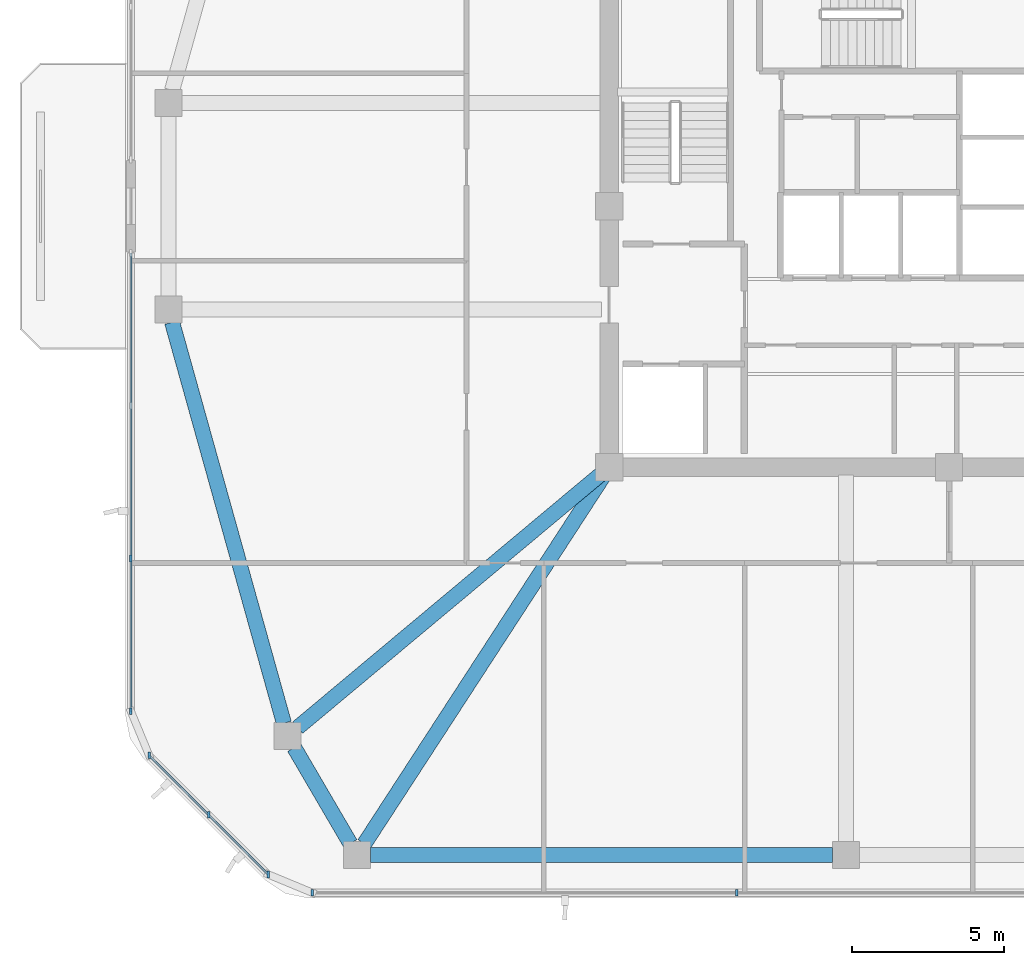
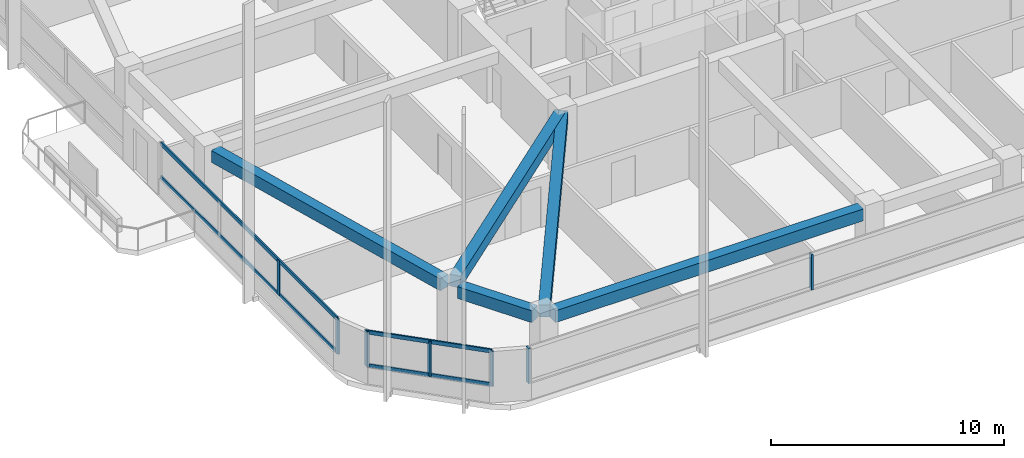
# One storey, part 2 of 17: 11 members, 5 beams, 3 elements without a shape of their own.
"""IFC4 building model written with IfcOpenShell, lengths in metres."""

from ifc_helpers import new_model, si_unit, derived_unit, direction, frame, origin, origin_2d, place, context, subcontext, project, spatial, rectangle, extrude, material, material_profile, profile_set, type_object, element, aggregate, save


model = new_model("IFC4")

# Units and contexts
model_context = context("Model", 3, precision=1e-05, world=origin(), true_north=direction((0.0, 1.0)))
body_context = subcontext(model_context, "Body", "Model", "MODEL_VIEW")
ifc_project = project(units=[si_unit("LENGTHUNIT", "METRE"), si_unit("AREAUNIT", "SQUARE_METRE"), si_unit("VOLUMEUNIT", "CUBIC_METRE"), si_unit("PLANEANGLEUNIT", "RADIAN"), si_unit("MASSUNIT", "GRAM", prefix="KILO"), derived_unit("THERMALTRANSMITTANCEUNIT", [(si_unit("POWERUNIT", "WATT"), 1), (si_unit("LENGTHUNIT", "METRE"), -2), (si_unit("THERMODYNAMICTEMPERATUREUNIT", "KELVIN"), -1)])], contexts=[model_context])

# Site, building, storey
site_placement = place(None, origin())
site = spatial("IfcSite", under=ifc_project, at=site_placement, CompositionType="ELEMENT")
building_placement = place(site_placement, origin())
building = spatial("IfcBuilding", under=site, at=building_placement, Name="Koralith Skygarden Medical Center", CompositionType="ELEMENT")
storey_placement = place(building_placement, frame((0.0, 0.0, 221.580078125)))
storey = spatial("IfcBuildingStorey", under=building, at=storey_placement, Name="L57", CompositionType="ELEMENT", Elevation=221.580078125)

# Curtain wall, members
ifc_material_1 = material(Name="Clear Laminated Glass", Category="glass")
curtain_wall_type = type_object("IfcCurtainWallType", Name="CW-5 Zone 4 Flare Biophilic Curtain Wall", PredefinedType="NOTDEFINED", material=ifc_material_1)
curtain_wall_1_placement = place(storey_placement, origin())
curtain_wall_1 = element("IfcCurtainWall", 1, at=curtain_wall_1_placement, inside=storey, type_object=curtain_wall_type, Name="Curtain Wall CW-L57-S", PredefinedType="NOTDEFINED")
ifc_material_2 = material(Name="Aluminium 6063-T6", Category="aluminium")
ifc_material_profile_1 = material_profile(ifc_material_2, rectangle(XDim=0.080078125, YDim=0.219970703125, at=origin_2d()), Name="MUL80X220")
ifc_profile_set_1 = profile_set([ifc_material_profile_1], Name="Aluminium 6063-T6")
member_type_1 = type_object("IfcMemberType", Name="CW-5 Extruded Mullion 80x220", PredefinedType="MULLION", material=ifc_profile_set_1)
member_1_placement = place(storey_placement, frame((16.012939453125, 3.280029296875, 0.849853515625), z_axis=(0.0, 0.0, 1.0), x_axis=(1.0, 0.0, 0.0)))
member_1 = element("IfcMember", 2, at=member_1_placement, type_object=member_type_1, Name="CW-L57-S Mullion 1", PredefinedType="MULLION", context=body_context, shape_type="SweptSolid", body=[
    extrude(rectangle(XDim=0.080078125, YDim=0.219970703125, at=origin_2d()), origin(), (0.0, 0.0, 1.0), 1.840087890625),
])
member_2_placement = place(storey_placement, frame((30.00390625, 3.280029296875, 0.849853515625), z_axis=(0.0, 0.0, 1.0), x_axis=(1.0, 0.0, 0.0)))
member_2 = element("IfcMember", 3, at=member_2_placement, type_object=member_type_1, Name="CW-L57-S Mullion 2", PredefinedType="MULLION", context=body_context, shape_type="SweptSolid", body=[
    extrude(rectangle(XDim=0.080078125, YDim=0.219970703125, at=origin_2d()), origin(), (0.0, 0.0, 1.0), 1.840087890625),
])
aggregate(curtain_wall_1, [member_1, member_2])

curtain_wall_2_placement = place(storey_placement, origin())
curtain_wall_2 = element("IfcCurtainWall", 4, at=curtain_wall_2_placement, inside=storey, type_object=curtain_wall_type, Name="Curtain Wall CW-L57-W-R", PredefinedType="NOTDEFINED")
member_3_placement = place(storey_placement, frame((10.0380859375, 14.2900390625, 0.849853515625), z_axis=(0.0, 0.0, 1.0), x_axis=(1.0, 0.0, 0.0)))
member_3 = element("IfcMember", 5, at=member_3_placement, type_object=member_type_1, Name="CW-L57-W-R Mullion 3", PredefinedType="MULLION", context=body_context, shape_type="SweptSolid", body=[
    extrude(rectangle(XDim=0.080078125, YDim=0.219970703125, at=origin_2d()), origin(), (0.0, 0.0, 1.0), 1.840087890625),
])
member_4_placement = place(storey_placement, frame((10.0380859375, 9.2548828125, 0.849853515625), z_axis=(0.0, 0.0, 1.0), x_axis=(1.0, 0.0, 0.0)))
member_4 = element("IfcMember", 6, at=member_4_placement, type_object=member_type_1, Name="CW-L57-W-R Mullion 4", PredefinedType="MULLION", context=body_context, shape_type="SweptSolid", body=[
    extrude(rectangle(XDim=0.080078125, YDim=0.219970703125, at=origin_2d()), origin(), (0.0, 0.0, 1.0), 1.840087890625),
])

curtain_wall_3_placement = place(storey_placement, origin())
curtain_wall_3 = element("IfcCurtainWall", 7, at=curtain_wall_3_placement, inside=storey, type_object=curtain_wall_type, Name="Curtain Wall CW-L57-SW", PredefinedType="NOTDEFINED")
member_5_placement = place(storey_placement, frame((10.638916015625, 7.803955078125, 0.849853515625), z_axis=(0.0, 0.0, 1.0), x_axis=(1.0, 0.0, 0.0)))
member_5 = element("IfcMember", 8, at=member_5_placement, type_object=member_type_1, Name="CW-L57-SW Mullion 1", PredefinedType="MULLION", context=body_context, shape_type="SweptSolid", body=[
    extrude(rectangle(XDim=0.080078125, YDim=0.219970703125, at=origin_2d()), origin(), (0.0, 0.0, 1.0), 1.840087890625),
])
member_6_placement = place(storey_placement, frame((12.60107421875, 5.843017578125, 0.849853515625), z_axis=(0.0, 0.0, 1.0), x_axis=(1.0, 0.0, 0.0)))
member_6 = element("IfcMember", 9, at=member_6_placement, type_object=member_type_1, Name="CW-L57-SW Mullion 2", PredefinedType="MULLION", context=body_context, shape_type="SweptSolid", body=[
    extrude(rectangle(XDim=0.080078125, YDim=0.219970703125, at=origin_2d()), origin(), (0.0, 0.0, 1.0), 1.840087890625),
])
member_7_placement = place(storey_placement, frame((14.56201171875, 3.881103515625, 0.849853515625), z_axis=(0.0, 0.0, 1.0), x_axis=(1.0, 0.0, 0.0)))
member_7 = element("IfcMember", 10, at=member_7_placement, type_object=member_type_1, Name="CW-L57-SW Mullion 3", PredefinedType="MULLION", context=body_context, shape_type="SweptSolid", body=[
    extrude(rectangle(XDim=0.080078125, YDim=0.219970703125, at=origin_2d()), origin(), (0.0, 0.0, 1.0), 1.840087890625),
])

# Member
ifc_material_profile_2 = material_profile(ifc_material_2, rectangle(XDim=0.074951171875, YDim=0.197998046875, at=origin_2d()), Name="TRN75X198")
ifc_profile_set_2 = profile_set([ifc_material_profile_2], Name="Aluminium 6063-T6")
member_type_2 = type_object("IfcMemberType", Name="CW-5 Thermal Transom 75x198", PredefinedType="USERDEFINED", material=ifc_profile_set_2)
member_8_placement = place(storey_placement, frame((10.0380859375, 24.360107421875, 0.89990234375), z_axis=(0.0, -1.0, 0.0), x_axis=(1.0, 0.0, 0.0)))
member_8 = element("IfcMember", 11, at=member_8_placement, type_object=member_type_2, Name="CW-L57-W-R Transom 1", ObjectType="TRANSOM", PredefinedType="USERDEFINED", context=body_context, shape_type="SweptSolid", body=[
    extrude(rectangle(XDim=0.074951171875, YDim=0.197998046875, at=origin_2d()), origin(), (0.0, 0.0, 1.0), 15.105224609375),
])

member_9_placement = place(storey_placement, frame((10.0380859375, 24.360107421875, 2.639892578125), z_axis=(0.0, -1.0, 0.0), x_axis=(1.0, 0.0, 0.0)))
member_9 = element("IfcMember", 12, at=member_9_placement, type_object=member_type_2, Name="CW-L57-W-R Transom 2", ObjectType="TRANSOM", PredefinedType="USERDEFINED", context=body_context, shape_type="SweptSolid", body=[
    extrude(rectangle(XDim=0.074951171875, YDim=0.197998046875, at=origin_2d()), origin(), (0.0, 0.0, 1.0), 15.105224609375),
])

aggregate(curtain_wall_2, [member_3, member_4, member_8, member_9])

member_10_placement = place(storey_placement, frame((10.638916015625, 7.803955078125, 0.89990234375), z_axis=(0.707128783731, -0.707084777957, 0.0), x_axis=(0.707084777957, 0.707128783731, 0.0)))
member_10 = element("IfcMember", 13, at=member_10_placement, type_object=member_type_2, Name="CW-L57-SW Transom 1", ObjectType="TRANSOM", PredefinedType="USERDEFINED", context=body_context, shape_type="SweptSolid", body=[
    extrude(rectangle(XDim=0.074951171875, YDim=0.197998046875, at=origin_2d()), origin(), (0.0, 0.0, 1.0), 5.5478515625),
])

member_11_placement = place(storey_placement, frame((10.638916015625, 7.803955078125, 2.639892578125), z_axis=(0.707128783731, -0.707084777957, 0.0), x_axis=(0.707084777957, 0.707128783731, 0.0)))
member_11 = element("IfcMember", 14, at=member_11_placement, type_object=member_type_2, Name="CW-L57-SW Transom 2", ObjectType="TRANSOM", PredefinedType="USERDEFINED", context=body_context, shape_type="SweptSolid", body=[
    extrude(rectangle(XDim=0.074951171875, YDim=0.197998046875, at=origin_2d()), origin(), (0.0, 0.0, 1.0), 5.5478515625),
])

aggregate(curtain_wall_3, [member_5, member_6, member_7, member_10, member_11])

# Beams
ifc_material_3 = material(Name="Concrete C45/55", Category="concrete")
ifc_material_profile_3 = material_profile(ifc_material_3, rectangle(XDim=0.5, YDim=0.6201171875, at=origin_2d()), Name="RCB500X620")
ifc_profile_set_3 = profile_set([ifc_material_profile_3], Name="Concrete C45/55")
beam_type_1 = type_object("IfcBeamType", Name="Upper Radial Collector Beam RCB500X620", PredefinedType="BEAM", material=ifc_profile_set_3)
beam_1_placement = place(storey_placement, frame((25.60791015625, 17.139892578125, 3.010009765625), z_axis=(-0.767298159165, -0.64129052304, 0.0), x_axis=(0.64129052304, -0.767298159165, 0.0)))
element("IfcBeam", 15, at=beam_1_placement, inside=storey, type_object=beam_type_1, Name="L57 Radial Collector Beam RB-02", PredefinedType="BEAM", context=body_context, shape_type="SweptSolid", body=[
    extrude(rectangle(XDim=0.5, YDim=0.6201171875, at=origin_2d()), origin(), (0.0, 0.0, 1.0), 13.126708984375),
])
beam_2_placement = place(storey_placement, frame((25.6640625, 17.090087890625, 3.010009765625), z_axis=(-0.5451487187, -0.838339355214, 0.0), x_axis=(0.838339355214, -0.5451487187, 0.0)))
element("IfcBeam", 16, at=beam_2_placement, inside=storey, type_object=beam_type_1, Name="L57 Radial Collector Beam RB-03", PredefinedType="BEAM", context=body_context, shape_type="SweptSolid", body=[
    extrude(rectangle(XDim=0.5, YDim=0.6201171875, at=origin_2d()), origin(), (0.0, 0.0, 1.0), 14.553955078125),
])
ifc_material_profile_4 = material_profile(ifc_material_3, rectangle(XDim=0.5, YDim=0.6201171875, at=origin_2d()), Name="RCB500X620")
ifc_profile_set_4 = profile_set([ifc_material_profile_4], Name="Concrete C45/55")
beam_type_2 = type_object("IfcBeamType", Name="Zone 4-5 Spandrel Beam RCB500X620", PredefinedType="SPANDREL", material=ifc_profile_set_4)
beam_3_placement = place(storey_placement, frame((11.39599609375, 22.075927734375, 3.010009765625), z_axis=(0.26859849356, -0.96325222515, 0.0), x_axis=(0.96325222515, 0.26859849356, 0.0)))
element("IfcBeam", 17, at=beam_3_placement, inside=storey, type_object=beam_type_2, Name="L57 Perimeter Spandrel Beam SP-01", PredefinedType="SPANDREL", context=body_context, shape_type="SweptSolid", body=[
    extrude(rectangle(XDim=0.5, YDim=0.6201171875, at=origin_2d()), origin(), (0.0, 0.0, 1.0), 13.716064453125),
])
beam_4_placement = place(storey_placement, frame((15.419921875, 8.06005859375, 3.010009765625), z_axis=(0.504832687441, -0.863217213505, 0.0), x_axis=(0.863217213505, 0.504832687441, 0.0)))
element("IfcBeam", 18, at=beam_4_placement, inside=storey, type_object=beam_type_2, Name="L57 Perimeter Spandrel Beam SP-02", PredefinedType="SPANDREL", context=body_context, shape_type="SweptSolid", body=[
    extrude(rectangle(XDim=0.5, YDim=0.6201171875, at=origin_2d()), origin(), (0.0, 0.0, 1.0), 3.660888671875),
])
beam_5_placement = place(storey_placement, frame((17.929931640625, 4.52001953125, 3.010009765625), z_axis=(1.0, 0.0, 0.0), x_axis=(0.0, 1.0, 0.0)))
element("IfcBeam", 19, at=beam_5_placement, inside=storey, type_object=beam_type_2, Name="L57 Perimeter Spandrel Beam SP-03", PredefinedType="SPANDREL", context=body_context, shape_type="SweptSolid", body=[
    extrude(rectangle(XDim=0.5, YDim=0.6201171875, at=origin_2d()), origin(), (0.0, 0.0, 1.0), 15.22998046875),
])

save(model, "model.ifc")
